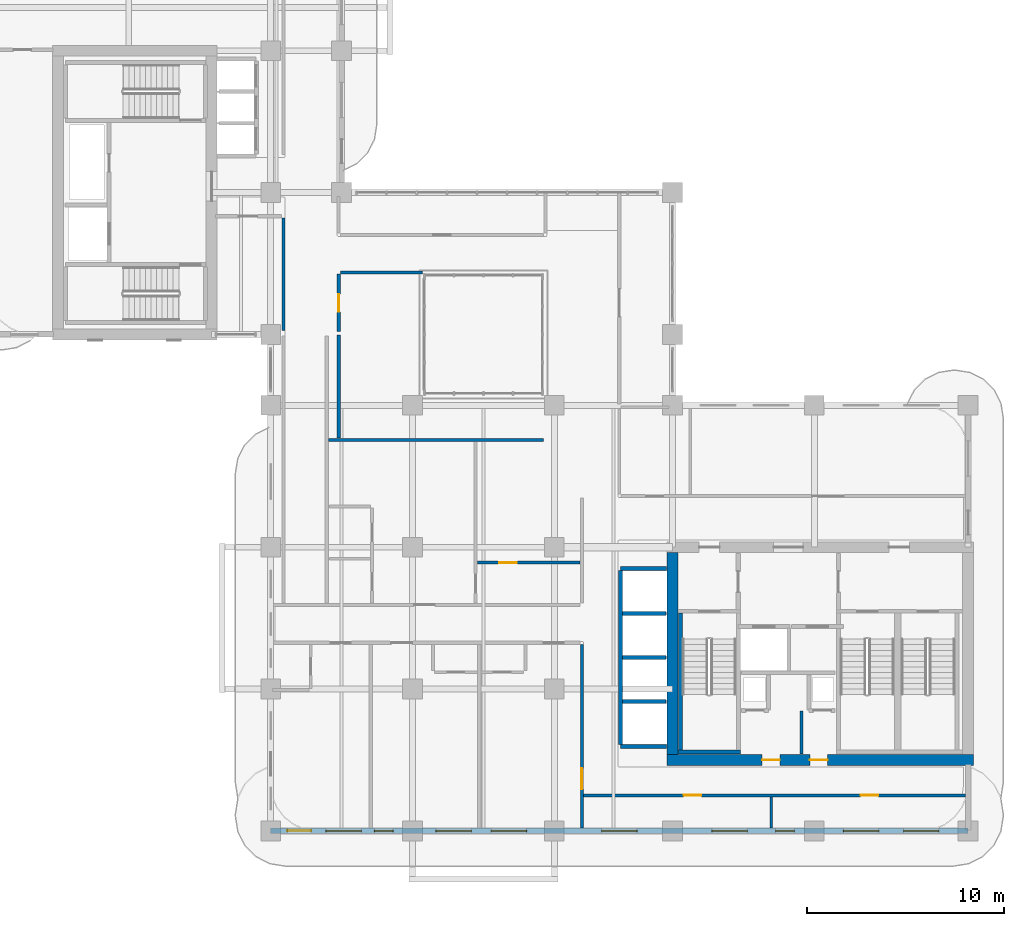
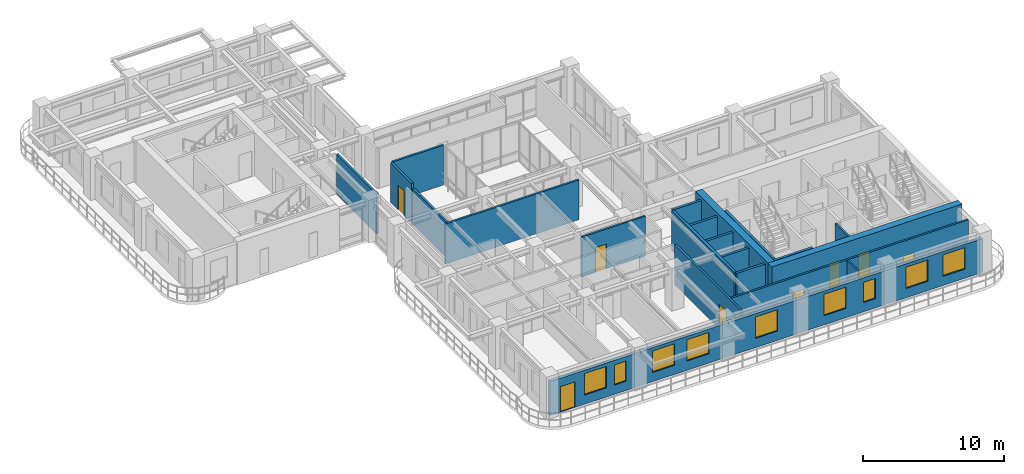
# One storey, part 12 of 19: 21 walls, 9 windows, 8 doors, 17 openings.
"""IFC4 building model written with IfcOpenShell, lengths in metres."""

from ifc_helpers import new_model, si_unit, derived_unit, direction, frame, frame_2d, origin, place, context, subcontext, project, spatial, rectangle, extrude, source, transform, mapped, material, layer, layer_set, type_object, type_shapes, element, fill, save


model = new_model("IFC4")

# Units and contexts
model_context = context("Model", 3, precision=1e-05, world=origin(), true_north=direction((0.0, 1.0)))
body_context = subcontext(model_context, "Body", "Model", "MODEL_VIEW")
ifc_project = project(units=[si_unit("LENGTHUNIT", "METRE"), si_unit("AREAUNIT", "SQUARE_METRE"), si_unit("VOLUMEUNIT", "CUBIC_METRE"), si_unit("PLANEANGLEUNIT", "RADIAN"), si_unit("MASSUNIT", "GRAM", prefix="KILO"), si_unit("THERMODYNAMICTEMPERATUREUNIT", "KELVIN"), si_unit("POWERUNIT", "WATT"), derived_unit("THERMALTRANSMITTANCEUNIT", [(si_unit("POWERUNIT", "WATT"), 1), (si_unit("AREAUNIT", "SQUARE_METRE"), -1), (si_unit("THERMODYNAMICTEMPERATUREUNIT", "KELVIN"), -1)])], contexts=[model_context])

# Site, building, storey
site_placement = place(None, origin())
site = spatial("IfcSite", under=ifc_project, at=site_placement, CompositionType="ELEMENT")
building_placement = place(site_placement, origin())
building = spatial("IfcBuilding", under=site, at=building_placement, Name="Zahravan Archway Hotel and Residences", CompositionType="ELEMENT")
storey_placement = place(building_placement, frame((0.0, 0.0, 134.0)))
storey = spatial("IfcBuildingStorey", under=building, at=storey_placement, Name="L33", CompositionType="ELEMENT", Elevation=134.0)

# Wall, openings, doors
ifc_material_1 = material(Name="Concrete C70/85", Category="concrete")
ifc_layer_1 = layer(ifc_material_1, 0.550048828125, Name="Concrete C70/85", Category="concrete")
ifc_layer_set_1 = layer_set([ifc_layer_1], Name="Concrete C70/85")
wall_type_1 = type_object("IfcWallType", Name="CW-CORE-550", PredefinedType="SHEAR", material=ifc_layer_set_1)
wall_1_placement = place(storey_placement, frame((34.52490234375, 3.60009765625, 0.0), z_axis=(0.0, 0.0, 1.0), x_axis=(1.0, 0.0, 0.0)))
wall_1 = element("IfcWall", 1, at=wall_1_placement, inside=storey, type_object=wall_type_1, Name="L33 Core A Shear S Wall 550 mm", PredefinedType="SHEAR", context=body_context, shape_type="SweptSolid", body=[
    extrude(rectangle(XDim=15.550048828125, YDim=0.550048828125, at=frame_2d((7.77490234375, 0.0))), origin(), (0.0, 0.0, 1.0), 3.699951171875),
])
opening_1_placement = place(wall_1_placement, frame((4.824951171875, 0.0, 0.0)))
opening_1 = element("IfcOpeningElement", 2, at=opening_1_placement, cuts=wall_1, Name="Opening FD-R1", PredefinedType="OPENING", context=body_context, shape_type="SweptSolid", body=[
    extrude(rectangle(XDim=0.89990234375, YDim=2.10009765625, at=frame_2d((0.449951171875, 1.050048828125))), frame((0.0, 0.28515625, 0.0), z_axis=(0.0, -1.0, 0.0), x_axis=(1.0, 0.0, 0.0)), (0.0, 0.0, 1.0), 0.570068359375),
])
opening_2_placement = place(wall_1_placement, frame((7.2451171875, 0.0, 0.0)))
opening_2 = element("IfcOpeningElement", 3, at=opening_2_placement, cuts=wall_1, Name="Opening FD-R1", PredefinedType="OPENING", context=body_context, shape_type="SweptSolid", body=[
    extrude(rectangle(XDim=0.89990234375, YDim=2.10009765625, at=frame_2d((0.449951171875, 1.050048828125))), frame((0.0, 0.28515625, 0.0), z_axis=(0.0, -1.0, 0.0), x_axis=(1.0, 0.0, 0.0)), (0.0, 0.0, 1.0), 0.570068359375),
])
ifc_material_2 = material(Name="Fire-Rated Painted Steel", Category="steel")
door_type_1 = type_object("IfcDoorType", Name="FD-RISER-900", OperationType="NOTDEFINED", PredefinedType="DOOR", material=ifc_material_2)
shared_shape_1 = source(origin(), body_context, "Body", "SweptSolid", [
    extrude(rectangle(XDim=0.89990234375, YDim=2.10009765625, at=frame_2d((0.449951171875, 1.050048828125))), frame((0.0, 0.02490234375, 0.0), z_axis=(0.0, -1.0, 0.0), x_axis=(1.0, 0.0, 0.0)), (0.0, 0.0, 1.0), 0.050048828125),
])
type_shapes(door_type_1, [shared_shape_1])
door_1_placement = place(opening_1_placement, origin())
door_1 = element("IfcDoor", 4, at=door_1_placement, inside=storey, type_object=door_type_1, Name="L33 Service Pantry Door", OperationType="SINGLE_SWING_RIGHT", OverallHeight=2.10009765625, OverallWidth=0.89990234375, PredefinedType="DOOR", context=body_context, shape_type="MappedRepresentation", body=[
    mapped(shared_shape_1, transform((0.0, 0.0, 0.0), scale=1.0)),
])
fill(opening_1, door_1)
door_2_placement = place(opening_2_placement, origin())
door_2 = element("IfcDoor", 5, at=door_2_placement, inside=storey, type_object=door_type_1, Name="L33 Fibre ELV Riser Door", OperationType="SINGLE_SWING_LEFT", OverallHeight=2.10009765625, OverallWidth=0.89990234375, PredefinedType="DOOR", context=body_context, shape_type="MappedRepresentation", body=[
    mapped(shared_shape_1, transform((0.0, 0.0, 0.0), scale=1.0)),
])
fill(opening_2, door_2)

# Wall
wall_2_placement = place(storey_placement, frame((34.800048828125, 3.875, 0.0), z_axis=(0.0, 0.0, 1.0), x_axis=(0.0, 1.0, 0.0)))
element("IfcWall", 6, at=wall_2_placement, inside=storey, type_object=wall_type_1, Name="L33 Core A Shear W Wall 550 mm", PredefinedType="SHEAR", context=body_context, shape_type="SweptSolid", body=[
    extrude(rectangle(XDim=10.25, YDim=0.550048828125, at=frame_2d((5.125, 0.0))), origin(), (0.0, 0.0, 1.0), 3.699951171875),
])

# Wall, openings, door, windows
ifc_material_3 = material(Name="Honed Red-Ochre Sandstone & Insulated Block", Category="masonry")
ifc_layer_2 = layer(ifc_material_3, 0.280029296875, Name="Honed Red-Ochre Sandstone & Insulated Block", Category="masonry")
ifc_layer_set_2 = layer_set([ifc_layer_2], Name="Honed Red-Ochre Sandstone & Insulated Block")
wall_type_2 = type_object("IfcWallType", Name="EW-LOG-280", PredefinedType="SOLIDWALL", material=ifc_layer_set_2)
wall_3_placement = place(storey_placement, frame((14.39990234375, 0.0, 0.0), z_axis=(0.0, 0.0, 1.0), x_axis=(1.0, 0.0, 0.0)))
wall_3 = element("IfcWall", 7, at=wall_3_placement, inside=storey, type_object=wall_type_2, Name="L33 Exterior Sandstone Wall WA-S", PredefinedType="SOLIDWALL", context=body_context, shape_type="SweptSolid", body=[
    extrude(rectangle(XDim=35.400146484375, YDim=0.280029296875, at=frame_2d((17.7001953125, 0.0))), origin(), (0.0, 0.0, 1.0), 2.93505859375),
])
opening_3_placement = place(wall_3_placement, frame((0.85009765625, 0.0, 0.0)))
opening_3 = element("IfcOpeningElement", 8, at=opening_3_placement, cuts=wall_3, Name="Opening ED-BL1", PredefinedType="OPENING", context=body_context, shape_type="SweptSolid", body=[
    extrude(rectangle(XDim=1.199951171875, YDim=2.199951171875, at=frame_2d((0.60009765625, 1.10009765625))), frame((0.0, 0.14990234375, 0.0), z_axis=(0.0, -1.0, 0.0), x_axis=(1.0, 0.0, 0.0)), (0.0, 0.0, 1.0), 0.300048828125),
])
opening_4_placement = place(wall_3_placement, frame((2.81103515625, 0.0, 0.800048828125)))
opening_4 = element("IfcOpeningElement", 9, at=opening_4_placement, cuts=wall_3, Name="Opening W-02", PredefinedType="OPENING", context=body_context, shape_type="SweptSolid", body=[
    extrude(rectangle(XDim=1.800048828125, YDim=1.85009765625, at=frame_2d((0.89990234375, 0.925048828125))), frame((0.0, 0.14990234375, 0.0), z_axis=(0.0, -1.0, 0.0), x_axis=(1.0, 0.0, 0.0)), (0.0, 0.0, 1.0), 0.300048828125),
])
opening_5_placement = place(wall_3_placement, frame((5.26904296875, 0.0, 0.800048828125)))
opening_5 = element("IfcOpeningElement", 10, at=opening_5_placement, cuts=wall_3, Name="Opening W-04", PredefinedType="OPENING", context=body_context, shape_type="SweptSolid", body=[
    extrude(rectangle(XDim=0.949951171875, YDim=1.75, at=frame_2d((0.47509765625, 0.875))), frame((0.0, 0.14990234375, 0.0), z_axis=(0.0, -1.0, 0.0), x_axis=(1.0, 0.0, 0.0)), (0.0, 0.0, 1.0), 0.300048828125),
])
opening_6_placement = place(wall_3_placement, frame((8.388916015625, 0.0, 0.800048828125)))
opening_6 = element("IfcOpeningElement", 11, at=opening_6_placement, cuts=wall_3, Name="Opening W-02", PredefinedType="OPENING", context=body_context, shape_type="SweptSolid", body=[
    extrude(rectangle(XDim=1.800048828125, YDim=1.85009765625, at=frame_2d((0.89990234375, 0.925048828125))), frame((0.0, 0.14990234375, 0.0), z_axis=(0.0, -1.0, 0.0), x_axis=(1.0, 0.0, 0.0)), (0.0, 0.0, 1.0), 0.300048828125),
])
opening_7_placement = place(wall_3_placement, frame((11.197021484375, 0.0, 0.800048828125)))
opening_7 = element("IfcOpeningElement", 12, at=opening_7_placement, cuts=wall_3, Name="Opening W-02", PredefinedType="OPENING", context=body_context, shape_type="SweptSolid", body=[
    extrude(rectangle(XDim=1.800048828125, YDim=1.85009765625, at=frame_2d((0.89990234375, 0.925048828125))), frame((0.0, 0.14990234375, 0.0), z_axis=(0.0, -1.0, 0.0), x_axis=(1.0, 0.0, 0.0)), (0.0, 0.0, 1.0), 0.300048828125),
])
opening_8_placement = place(wall_3_placement, frame((16.803955078125, 0.0, 0.800048828125)))
opening_8 = element("IfcOpeningElement", 13, at=opening_8_placement, cuts=wall_3, Name="Opening W-02", PredefinedType="OPENING", context=body_context, shape_type="SweptSolid", body=[
    extrude(rectangle(XDim=1.800048828125, YDim=1.85009765625, at=frame_2d((0.89990234375, 0.925048828125))), frame((0.0, 0.14990234375, 0.0), z_axis=(0.0, -1.0, 0.0), x_axis=(1.0, 0.0, 0.0)), (0.0, 0.0, 1.0), 0.300048828125),
])
opening_9_placement = place(wall_3_placement, frame((22.39599609375, 0.0, 0.800048828125)))
opening_9 = element("IfcOpeningElement", 14, at=opening_9_placement, cuts=wall_3, Name="Opening W-02", PredefinedType="OPENING", context=body_context, shape_type="SweptSolid", body=[
    extrude(rectangle(XDim=1.800048828125, YDim=1.85009765625, at=frame_2d((0.89990234375, 0.925048828125))), frame((0.0, 0.14990234375, 0.0), z_axis=(0.0, -1.0, 0.0), x_axis=(1.0, 0.0, 0.0)), (0.0, 0.0, 1.0), 0.300048828125),
])
opening_10_placement = place(wall_3_placement, frame((25.62890625, 0.0, 0.800048828125)))
opening_10 = element("IfcOpeningElement", 15, at=opening_10_placement, cuts=wall_3, Name="Opening W-04", PredefinedType="OPENING", context=body_context, shape_type="SweptSolid", body=[
    extrude(rectangle(XDim=0.949951171875, YDim=1.75, at=frame_2d((0.47509765625, 0.875))), frame((0.0, 0.14990234375, 0.0), z_axis=(0.0, -1.0, 0.0), x_axis=(1.0, 0.0, 0.0)), (0.0, 0.0, 1.0), 0.300048828125),
])
opening_11_placement = place(wall_3_placement, frame((29.074951171875, 0.0, 0.800048828125)))
opening_11 = element("IfcOpeningElement", 16, at=opening_11_placement, cuts=wall_3, Name="Opening W-02", PredefinedType="OPENING", context=body_context, shape_type="SweptSolid", body=[
    extrude(rectangle(XDim=1.800048828125, YDim=1.85009765625, at=frame_2d((0.89990234375, 0.925048828125))), frame((0.0, 0.14990234375, 0.0), z_axis=(0.0, -1.0, 0.0), x_axis=(1.0, 0.0, 0.0)), (0.0, 0.0, 1.0), 0.300048828125),
])
opening_12_placement = place(wall_3_placement, frame((32.125, 0.0, 0.800048828125)))
opening_12 = element("IfcOpeningElement", 17, at=opening_12_placement, cuts=wall_3, Name="Opening W-02", PredefinedType="OPENING", context=body_context, shape_type="SweptSolid", body=[
    extrude(rectangle(XDim=1.800048828125, YDim=1.85009765625, at=frame_2d((0.89990234375, 0.925048828125))), frame((0.0, 0.14990234375, 0.0), z_axis=(0.0, -1.0, 0.0), x_axis=(1.0, 0.0, 0.0)), (0.0, 0.0, 1.0), 0.300048828125),
])
ifc_material_4 = material(Name="Bronze-Anodized Glazed Aluminium", Category="aluminium")
door_type_2 = type_object("IfcDoorType", Name="ED-BALC-1200", OperationType="SLIDING_TO_LEFT", PredefinedType="DOOR", material=ifc_material_4)
shared_shape_2 = source(origin(), body_context, "Body", "SweptSolid", [
    extrude(rectangle(XDim=1.199951171875, YDim=2.199951171875, at=frame_2d((0.60009765625, 1.10009765625))), frame((0.0, 0.02490234375, 0.0), z_axis=(0.0, -1.0, 0.0), x_axis=(1.0, 0.0, 0.0)), (0.0, 0.0, 1.0), 0.050048828125),
])
type_shapes(door_type_2, [shared_shape_2])
door_3_placement = place(opening_3_placement, origin())
door_3 = element("IfcDoor", 18, at=door_3_placement, inside=storey, type_object=door_type_2, Name="L33 Outdoor Access Sliding Door (SLB-BAL-L33-SA)", OperationType="SLIDING_TO_LEFT", OverallHeight=2.199951171875, OverallWidth=1.199951171875, PredefinedType="DOOR", context=body_context, shape_type="MappedRepresentation", body=[
    mapped(shared_shape_2, transform((0.0, 0.0, 0.0), scale=1.0)),
])
fill(opening_3, door_3)
ifc_material_5 = material(Name="Bronze-Anodized Thermal-Break Aluminium & Low-E Glass", Category="aluminium")
window_type_1 = type_object("IfcWindowType", Name="WIN-NAR-950", PartitioningType="SINGLE_PANEL", PredefinedType="WINDOW", material=ifc_material_5)
shared_shape_3 = source(origin(), body_context, "Body", "SweptSolid", [
    extrude(rectangle(XDim=0.949951171875, YDim=1.75, at=frame_2d((0.47509765625, 0.875))), frame((0.0, 0.030029296875, 0.0), z_axis=(0.0, -1.0, 0.0), x_axis=(1.0, 0.0, 0.0)), (0.0, 0.0, 1.0), 0.06005859375),
])
type_shapes(window_type_1, [shared_shape_3])
window_1_placement = place(opening_5_placement, origin())
window_1 = element("IfcWindow", 19, at=window_1_placement, inside=storey, type_object=window_type_1, Name="L33 Loggia Window 02", OverallHeight=1.75, OverallWidth=0.949951171875, PartitioningType="SINGLE_PANEL", PredefinedType="WINDOW", context=body_context, shape_type="MappedRepresentation", body=[
    mapped(shared_shape_3, transform((0.0, 0.0, 0.0), scale=1.0)),
])
fill(opening_5, window_1)
window_2_placement = place(opening_10_placement, origin())
window_2 = element("IfcWindow", 20, at=window_2_placement, inside=storey, type_object=window_type_1, Name="L33 Loggia Window 07", OverallHeight=1.75, OverallWidth=0.949951171875, PartitioningType="SINGLE_PANEL", PredefinedType="WINDOW", context=body_context, shape_type="MappedRepresentation", body=[
    mapped(shared_shape_3, transform((0.0, 0.0, 0.0), scale=1.0)),
])
fill(opening_10, window_2)
window_type_2 = type_object("IfcWindowType", Name="WIN-TWR-1800", PartitioningType="DOUBLE_PANEL_VERTICAL", PredefinedType="WINDOW", material=ifc_material_5)
shared_shape_4 = source(origin(), body_context, "Body", "SweptSolid", [
    extrude(rectangle(XDim=1.800048828125, YDim=1.85009765625, at=frame_2d((0.89990234375, 0.925048828125))), frame((0.0, 0.030029296875, 0.0), z_axis=(0.0, -1.0, 0.0), x_axis=(1.0, 0.0, 0.0)), (0.0, 0.0, 1.0), 0.06005859375),
])
type_shapes(window_type_2, [shared_shape_4])
window_3_placement = place(opening_4_placement, origin())
window_3 = element("IfcWindow", 21, at=window_3_placement, inside=storey, type_object=window_type_2, Name="L33 Loggia Window 01", OverallHeight=1.85009765625, OverallWidth=1.800048828125, PartitioningType="DOUBLE_PANEL_VERTICAL", PredefinedType="WINDOW", context=body_context, shape_type="MappedRepresentation", body=[
    mapped(shared_shape_4, transform((0.0, 0.0, 0.0), scale=1.0)),
])
fill(opening_4, window_3)
window_4_placement = place(opening_6_placement, origin())
window_4 = element("IfcWindow", 22, at=window_4_placement, inside=storey, type_object=window_type_2, Name="L33 Loggia Window 03", OverallHeight=1.85009765625, OverallWidth=1.800048828125, PartitioningType="DOUBLE_PANEL_VERTICAL", PredefinedType="WINDOW", context=body_context, shape_type="MappedRepresentation", body=[
    mapped(shared_shape_4, transform((0.0, 0.0, 0.0), scale=1.0)),
])
fill(opening_6, window_4)
window_5_placement = place(opening_7_placement, origin())
window_5 = element("IfcWindow", 23, at=window_5_placement, inside=storey, type_object=window_type_2, Name="L33 Loggia Window 04", OverallHeight=1.85009765625, OverallWidth=1.800048828125, PartitioningType="DOUBLE_PANEL_VERTICAL", PredefinedType="WINDOW", context=body_context, shape_type="MappedRepresentation", body=[
    mapped(shared_shape_4, transform((0.0, 0.0, 0.0), scale=1.0)),
])
fill(opening_7, window_5)
window_6_placement = place(opening_8_placement, origin())
window_6 = element("IfcWindow", 24, at=window_6_placement, inside=storey, type_object=window_type_2, Name="L33 Loggia Window 05", OverallHeight=1.85009765625, OverallWidth=1.800048828125, PartitioningType="DOUBLE_PANEL_VERTICAL", PredefinedType="WINDOW", context=body_context, shape_type="MappedRepresentation", body=[
    mapped(shared_shape_4, transform((0.0, 0.0, 0.0), scale=1.0)),
])
fill(opening_8, window_6)
window_7_placement = place(opening_9_placement, origin())
window_7 = element("IfcWindow", 25, at=window_7_placement, inside=storey, type_object=window_type_2, Name="L33 Loggia Window 06", OverallHeight=1.85009765625, OverallWidth=1.800048828125, PartitioningType="DOUBLE_PANEL_VERTICAL", PredefinedType="WINDOW", context=body_context, shape_type="MappedRepresentation", body=[
    mapped(shared_shape_4, transform((0.0, 0.0, 0.0), scale=1.0)),
])
fill(opening_9, window_7)
window_8_placement = place(opening_11_placement, origin())
window_8 = element("IfcWindow", 26, at=window_8_placement, inside=storey, type_object=window_type_2, Name="L33 Loggia Window 08", OverallHeight=1.85009765625, OverallWidth=1.800048828125, PartitioningType="DOUBLE_PANEL_VERTICAL", PredefinedType="WINDOW", context=body_context, shape_type="MappedRepresentation", body=[
    mapped(shared_shape_4, transform((0.0, 0.0, 0.0), scale=1.0)),
])
fill(opening_11, window_8)
window_9_placement = place(opening_12_placement, origin())
window_9 = element("IfcWindow", 27, at=window_9_placement, inside=storey, type_object=window_type_2, Name="L33 Loggia Window 09", OverallHeight=1.85009765625, OverallWidth=1.800048828125, PartitioningType="DOUBLE_PANEL_VERTICAL", PredefinedType="WINDOW", context=body_context, shape_type="MappedRepresentation", body=[
    mapped(shared_shape_4, transform((0.0, 0.0, 0.0), scale=1.0)),
])
fill(opening_12, window_9)

# Wall, opening, door
ifc_material_6 = material(Name="Fire-Rated Gypsum & Concrete Block", Category="concrete")
ifc_layer_3 = layer(ifc_material_6, 0.159912109375, Name="Fire-Rated Gypsum & Concrete Block", Category="concrete")
ifc_layer_set_3 = layer_set([ifc_layer_3], Name="Fire-Rated Gypsum & Concrete Block")
wall_type_3 = type_object("IfcWallType", Name="PW-CORR-160", PredefinedType="PARTITIONING", material=ifc_layer_set_3)
wall_4_placement = place(storey_placement, frame((30.199951171875, 0.14794921875, 0.0), z_axis=(0.0, 0.0, 1.0), x_axis=(0.0, 1.0, 0.0)))
wall_4 = element("IfcWall", 28, at=wall_4_placement, inside=storey, type_object=wall_type_3, Name="L33 Partition WA-SRW", PredefinedType="PARTITIONING", context=body_context, shape_type="SweptSolid", body=[
    extrude(rectangle(XDim=9.31201171875, YDim=0.159912109375, at=frame_2d((4.656005859375, 0.0))), origin(), (0.0, 0.0, 1.0), 3.449951171875),
])
opening_13_placement = place(wall_4_placement, frame((1.97705078125, 0.0, 0.0)))
opening_13 = element("IfcOpeningElement", 29, at=opening_13_placement, cuts=wall_4, Name="Opening FD-L2", PredefinedType="OPENING", context=body_context, shape_type="SweptSolid", body=[
    extrude(rectangle(XDim=1.050048828125, YDim=2.14990234375, at=frame_2d((0.52490234375, 1.074951171875))), frame((0.0, 0.08984375, 0.0), z_axis=(0.0, -1.0, 0.0), x_axis=(1.0, 0.0, 0.0)), (0.0, 0.0, 1.0), 0.179931640625),
])
door_type_3 = type_object("IfcDoorType", Name="FD-LOBBY-1100", OperationType="NOTDEFINED", PredefinedType="DOOR", material=ifc_material_2)
shared_shape_5 = source(origin(), body_context, "Body", "SweptSolid", [
    extrude(rectangle(XDim=1.050048828125, YDim=2.14990234375, at=frame_2d((0.52490234375, 1.074951171875))), frame((0.0, 0.02490234375, 0.0), z_axis=(0.0, -1.0, 0.0), x_axis=(1.0, 0.0, 0.0)), (0.0, 0.0, 1.0), 0.050048828125),
])
type_shapes(door_type_3, [shared_shape_5])
door_4_placement = place(opening_13_placement, origin())
door_4 = element("IfcDoor", 30, at=door_4_placement, inside=storey, type_object=door_type_3, Name="L33 South Riser Corridor Door", OperationType="SINGLE_SWING_LEFT", OverallHeight=2.14990234375, OverallWidth=1.050048828125, PredefinedType="DOOR", context=body_context, shape_type="MappedRepresentation", body=[
    mapped(shared_shape_5, transform((0.0, 0.0, 0.0), scale=1.0)),
])
fill(opening_13, door_4)

# Wall, openings, doors
wall_5_placement = place(storey_placement, frame((30.2900390625, 1.800048828125, 0.0), z_axis=(0.0, 0.0, 1.0), x_axis=(1.0, 0.0, 0.0)))
wall_5 = element("IfcWall", 31, at=wall_5_placement, inside=storey, type_object=wall_type_3, Name="L33 Partition WA-SRS", PredefinedType="PARTITIONING", context=body_context, shape_type="SweptSolid", body=[
    extrude(rectangle(XDim=19.369873046875, YDim=0.159912109375, at=frame_2d((9.68505859375, 0.0))), origin(), (0.0, 0.0, 1.0), 3.449951171875),
])
opening_14_placement = place(wall_5_placement, frame((5.07421875, 0.0, 0.0)))
opening_14 = element("IfcOpeningElement", 32, at=opening_14_placement, cuts=wall_5, Name="Opening D-I2", PredefinedType="OPENING", context=body_context, shape_type="SweptSolid", body=[
    extrude(rectangle(XDim=0.89990234375, YDim=2.14990234375, at=frame_2d((0.449951171875, 1.074951171875))), frame((0.0, 0.08984375, 0.0), z_axis=(0.0, -1.0, 0.0), x_axis=(1.0, 0.0, 0.0)), (0.0, 0.0, 1.0), 0.179931640625),
])
opening_15_placement = place(wall_5_placement, frame((14.06005859375, 0.0, 0.0)))
opening_15 = element("IfcOpeningElement", 33, at=opening_15_placement, cuts=wall_5, Name="Opening D-I2", PredefinedType="OPENING", context=body_context, shape_type="SweptSolid", body=[
    extrude(rectangle(XDim=0.89990234375, YDim=2.14990234375, at=frame_2d((0.449951171875, 1.074951171875))), frame((0.0, 0.08984375, 0.0), z_axis=(0.0, -1.0, 0.0), x_axis=(1.0, 0.0, 0.0)), (0.0, 0.0, 1.0), 0.179931640625),
])
ifc_material_7 = material(Name="Hardwood Veneer Timber", Category="wood")
door_type_4 = type_object("IfcDoorType", Name="ID-INT-900", OperationType="NOTDEFINED", PredefinedType="DOOR", material=ifc_material_7)
shared_shape_6 = source(origin(), body_context, "Body", "SweptSolid", [
    extrude(rectangle(XDim=0.89990234375, YDim=2.14990234375, at=frame_2d((0.449951171875, 1.074951171875))), frame((0.0, 0.02490234375, 0.0), z_axis=(0.0, -1.0, 0.0), x_axis=(1.0, 0.0, 0.0)), (0.0, 0.0, 1.0), 0.050048828125),
])
type_shapes(door_type_4, [shared_shape_6])
door_5_placement = place(opening_14_placement, origin())
door_5 = element("IfcDoor", 34, at=door_5_placement, inside=storey, type_object=door_type_4, Name="L33 South Study Door", OperationType="SINGLE_SWING_RIGHT", OverallHeight=2.14990234375, OverallWidth=0.89990234375, PredefinedType="DOOR", context=body_context, shape_type="MappedRepresentation", body=[
    mapped(shared_shape_6, transform((0.0, 0.0, 0.0), scale=1.0)),
])
fill(opening_14, door_5)
door_6_placement = place(opening_15_placement, origin())
door_6 = element("IfcDoor", 35, at=door_6_placement, inside=storey, type_object=door_type_4, Name="L33 South Pantry Door", OperationType="SINGLE_SWING_LEFT", OverallHeight=2.14990234375, OverallWidth=0.89990234375, PredefinedType="DOOR", context=body_context, shape_type="MappedRepresentation", body=[
    mapped(shared_shape_6, transform((0.0, 0.0, 0.0), scale=1.0)),
])
fill(opening_15, door_6)

# Walls
wall_6_placement = place(storey_placement, frame((15.050048828125, 25.389892578125, 0.0), z_axis=(0.0, 0.0, 1.0), x_axis=(0.0, 1.0, 0.0)))
element("IfcWall", 36, at=wall_6_placement, inside=storey, type_object=wall_type_3, Name="L33 Partition FB1-E", PredefinedType="PARTITIONING", context=body_context, shape_type="SweptSolid", body=[
    extrude(rectangle(XDim=5.72021484375, YDim=0.159912109375, at=frame_2d((2.860107421875, 0.0))), origin(), (0.0, 0.0, 1.0), 3.449951171875),
])
wall_7_placement = place(storey_placement, frame((17.93994140625, 28.35009765625, 0.0), z_axis=(0.0, 0.0, 1.0), x_axis=(1.0, 0.0, 0.0)))
element("IfcWall", 37, at=wall_7_placement, inside=storey, type_object=wall_type_3, Name="L33 Partition ATR-NW2S", PredefinedType="PARTITIONING", context=body_context, shape_type="SweptSolid", body=[
    extrude(rectangle(XDim=4.170166015625, YDim=0.159912109375, at=frame_2d((2.0849609375, 0.0))), origin(), (0.0, 0.0, 1.0), 3.449951171875),
])
wall_8_placement = place(storey_placement, frame((17.340087890625, 19.85009765625, 0.0), z_axis=(0.0, 0.0, 1.0), x_axis=(1.0, 0.0, 0.0)))
element("IfcWall", 38, at=wall_8_placement, inside=storey, type_object=wall_type_3, Name="L33 Partition ATR-S", PredefinedType="PARTITIONING", context=body_context, shape_type="SweptSolid", body=[
    extrude(rectangle(XDim=10.919921875, YDim=0.159912109375, at=frame_2d((5.4599609375, 0.0))), origin(), (0.0, 0.0, 1.0), 3.449951171875),
])
ifc_material_8 = material(Name="Acoustic Stud Partition")
ifc_layer_4 = layer(ifc_material_8, 0.125, Name="Acoustic Stud Partition")
ifc_layer_set_4 = layer_set([ifc_layer_4], Name="Acoustic Stud Partition")
wall_type_4 = type_object("IfcWallType", Name="PW-INT-125", PredefinedType="PARTITIONING", material=ifc_layer_set_4)
wall_9_placement = place(storey_placement, frame((39.800048828125, 0.14794921875, 0.0), z_axis=(0.0, 0.0, 1.0), x_axis=(0.0, 1.0, 0.0)))
element("IfcWall", 39, at=wall_9_placement, inside=storey, type_object=wall_type_4, Name="L33 Partition S-DIV1", PredefinedType="PARTITIONING", context=body_context, shape_type="SweptSolid", body=[
    extrude(rectangle(XDim=1.56201171875, YDim=0.125, at=frame_2d((0.781005859375, 0.0))), origin(), (0.0, 0.0, 1.0), 3.449951171875),
])
ifc_layer_5 = layer(ifc_material_6, 0.199951171875, Name="Fire-Rated Gypsum & Concrete Block", Category="concrete")
ifc_layer_set_5 = layer_set([ifc_layer_5], Name="Fire-Rated Gypsum & Concrete Block")
wall_type_5 = type_object("IfcWallType", Name="PW-SHAFT-200", PredefinedType="PARTITIONING", material=ifc_layer_set_5)
for number, where, z_axis, x_axis, name in (
    (40, (32.159912109375, 4.280029296875, 0.0), (0.0, 0.0, 1.0), (1.0, 0.0, 0.0), "L33 Partition B3-S"),
    (41, (32.159912109375, 13.320068359375, 0.0), (0.0, 0.0, 1.0), (1.0, 0.0, 0.0), "L33 Partition B3-N"),
):
    element("IfcWall", number, at=place(storey_placement, frame(where, z_axis=z_axis, x_axis=x_axis)), inside=storey, type_object=wall_type_5, Name=name, PredefinedType="PARTITIONING", context=body_context, shape_type="SweptSolid", body=[
        extrude(rectangle(XDim=2.335205078125, YDim=0.199951171875, at=frame_2d((1.16748046875, 0.0))), origin(), (0.0, 0.0, 1.0), 3.449951171875),
    ])
wall_10_placement = place(storey_placement, frame((32.14990234375, 4.389892578125, 0.0), z_axis=(0.0, 0.0, 1.0), x_axis=(0.0, 1.0, 0.0)))
element("IfcWall", 42, at=wall_10_placement, inside=storey, type_object=wall_type_5, Name="L33 Partition B3-W", PredefinedType="PARTITIONING", context=body_context, shape_type="SweptSolid", body=[
    extrude(rectangle(XDim=8.820068359375, YDim=0.199951171875, at=frame_2d((4.41015625, 0.0))), origin(), (0.0, 0.0, 1.0), 3.449951171875),
])
for number, where, z_axis, x_axis, name in (
    (43, (32.260009765625, 6.56005859375, 0.0), (0.0, 0.0, 1.0), (1.0, 0.0, 0.0), "L33 Partition B3-D"),
    (44, (32.260009765625, 8.800048828125, 0.0), (0.0, 0.0, 1.0), (1.0, 0.0, 0.0), "L33 Partition B3-D"),
    (45, (32.260009765625, 11.0400390625, 0.0), (0.0, 0.0, 1.0), (1.0, 0.0, 0.0), "L33 Partition B3-D"),
):
    element("IfcWall", number, at=place(storey_placement, frame(where, z_axis=z_axis, x_axis=x_axis)), inside=storey, type_object=wall_type_5, Name=name, PredefinedType="PARTITIONING", context=body_context, shape_type="SweptSolid", body=[
        extrude(rectangle(XDim=2.205078125, YDim=0.199951171875, at=frame_2d((1.1025390625, 0.0))), origin(), (0.0, 0.0, 1.0), 3.449951171875),
    ])

# Wall, opening, door
ifc_layer_6 = layer(ifc_material_8, 0.14990234375, Name="Acoustic Stud Partition")
ifc_layer_set_6 = layer_set([ifc_layer_6], Name="Acoustic Stud Partition")
wall_type_6 = type_object("IfcWallType", Name="PW-UNIT-150", PredefinedType="PARTITIONING", material=ifc_layer_set_6)
wall_11_placement = place(storey_placement, frame((24.889892578125, 13.6201171875, 0.0), z_axis=(0.0, 0.0, 1.0), x_axis=(1.0, 0.0, 0.0)))
wall_11 = element("IfcWall", 46, at=wall_11_placement, inside=storey, type_object=wall_type_6, Name="L33 Partition FL-AT1-GH", PredefinedType="PARTITIONING", context=body_context, shape_type="SweptSolid", body=[
    extrude(rectangle(XDim=5.22021484375, YDim=0.14990234375, at=frame_2d((2.610107421875, 0.0))), origin(), (0.0, 0.0, 1.0), 3.449951171875),
])
opening_16_placement = place(wall_11_placement, frame((1.110107421875, 0.0, 0.0)))
opening_16 = element("IfcOpeningElement", 47, at=opening_16_placement, cuts=wall_11, Name="Opening D-I2", PredefinedType="OPENING", context=body_context, shape_type="SweptSolid", body=[
    extrude(rectangle(XDim=0.89990234375, YDim=2.14990234375, at=frame_2d((0.449951171875, 1.074951171875))), frame((0.0, 0.0849609375, 0.0), z_axis=(0.0, -1.0, 0.0), x_axis=(1.0, 0.0, 0.0)), (0.0, 0.0, 1.0), 0.169921875),
])
door_7_placement = place(opening_16_placement, origin())
door_7 = element("IfcDoor", 48, at=door_7_placement, inside=storey, type_object=door_type_4, Name="L33 Flat AT1 Bedroom 1 Door", OperationType="SINGLE_SWING_LEFT", OverallHeight=2.14990234375, OverallWidth=0.89990234375, PredefinedType="DOOR", context=body_context, shape_type="MappedRepresentation", body=[
    mapped(shared_shape_6, transform((0.0, 0.0, 0.0), scale=1.0)),
])
fill(opening_16, door_7)

# Wall
ifc_layer_7 = layer(ifc_material_8, 0.169921875, Name="Acoustic Stud Partition")
ifc_layer_set_7 = layer_set([ifc_layer_7], Name="Acoustic Stud Partition")
wall_type_7 = type_object("IfcWallType", Name="PW-UNIT-170", PredefinedType="PARTITIONING", material=ifc_layer_set_7)
wall_12_placement = place(storey_placement, frame((17.85009765625, 19.93994140625, 0.0), z_axis=(0.0, 0.0, 1.0), x_axis=(0.0, 1.0, 0.0)))
element("IfcWall", 49, at=wall_12_placement, inside=storey, type_object=wall_type_7, Name="L33 Partition ATR-NWSL", PredefinedType="PARTITIONING", context=body_context, shape_type="SweptSolid", body=[
    extrude(rectangle(XDim=5.219970703125, YDim=0.169921875, at=frame_2d((2.60986328125, 0.0))), origin(), (0.0, 0.0, 1.0), 3.10498046875),
])

# Wall, opening, door
wall_13_placement = place(storey_placement, frame((17.85009765625, 25.340087890625, 0.0), z_axis=(0.0, 0.0, 1.0), x_axis=(0.0, 1.0, 0.0)))
wall_13 = element("IfcWall", 50, at=wall_13_placement, inside=storey, type_object=wall_type_7, Name="L33 Partition ATR-W2", PredefinedType="PARTITIONING", context=body_context, shape_type="SweptSolid", body=[
    extrude(rectangle(XDim=2.919921875, YDim=0.169921875, at=frame_2d((1.4599609375, 0.0))), origin(), (0.0, 0.0, 1.0), 3.449951171875),
])
opening_17_placement = place(wall_13_placement, frame((1.010009765625, 0.0, 0.0)))
opening_17 = element("IfcOpeningElement", 51, at=opening_17_placement, cuts=wall_13, Name="Opening D-I2", PredefinedType="OPENING", context=body_context, shape_type="SweptSolid", body=[
    extrude(rectangle(XDim=0.89990234375, YDim=2.14990234375, at=frame_2d((0.449951171875, 1.074951171875))), frame((0.0, 0.094970703125, 0.0), z_axis=(0.0, -1.0, 0.0), x_axis=(1.0, 0.0, 0.0)), (0.0, 0.0, 1.0), 0.18994140625),
])
door_8_placement = place(opening_17_placement, origin())
door_8 = element("IfcDoor", 52, at=door_8_placement, inside=storey, type_object=door_type_4, Name="L33 Atrium West Focus Room Door", OperationType="SINGLE_SWING_LEFT", OverallHeight=2.14990234375, OverallWidth=0.89990234375, PredefinedType="DOOR", context=body_context, shape_type="MappedRepresentation", body=[
    mapped(shared_shape_6, transform((0.0, 0.0, 0.0), scale=1.0)),
])
fill(opening_17, door_8)

# Walls
ifc_material_9 = material(Name="Moisture-Resistant Blockwork", Category="masonry")
ifc_layer_8 = layer(ifc_material_9, 0.139892578125, Name="Moisture-Resistant Blockwork", Category="masonry")
ifc_layer_set_8 = layer_set([ifc_layer_8], Name="Moisture-Resistant Blockwork")
wall_type_8 = type_object("IfcWallType", Name="PW-WET-140", PredefinedType="PARTITIONING", material=ifc_layer_set_8)
wall_14_placement = place(storey_placement, frame((41.35009765625, 3.89501953125, 0.0), z_axis=(0.0, 0.0, 1.0), x_axis=(0.0, 1.0, 0.0)))
element("IfcWall", 53, at=wall_14_placement, inside=storey, type_object=wall_type_8, Name="L33 Partition CA-CV3", PredefinedType="PARTITIONING", context=body_context, shape_type="SweptSolid", body=[
    extrude(rectangle(XDim=2.18505859375, YDim=0.139892578125, at=frame_2d((1.092529296875, 0.0))), origin(), (0.0, 0.0, 1.0), 3.449951171875),
])
ifc_material_10 = material(Name="Concrete C50/60", Category="concrete")
ifc_layer_9 = layer(ifc_material_10, 0.199951171875, Name="Concrete C50/60", Category="concrete")
ifc_layer_set_9 = layer_set([ifc_layer_9], Name="Concrete C50/60")
wall_type_9 = type_object("IfcWallType", Name="SW-STAIR-200", PredefinedType="SHEAR", material=ifc_layer_set_9)
wall_15_placement = place(storey_placement, frame((35.074951171875, 4.0, 0.0), z_axis=(0.0, 0.0, 1.0), x_axis=(1.0, 0.0, 0.0)))
element("IfcWall", 54, at=wall_15_placement, inside=storey, type_object=wall_type_9, Name="L33 Stairwell RC Wall CA-SA1S", PredefinedType="SHEAR", context=body_context, shape_type="SweptSolid", body=[
    extrude(rectangle(XDim=3.1650390625, YDim=0.199951171875, at=frame_2d((1.58251953125, 0.0))), origin(), (0.0, 0.0, 1.0), 3.699951171875),
])
wall_16_placement = place(storey_placement, frame((35.199951171875, 4.10009765625, 0.0), z_axis=(0.0, 0.0, 1.0), x_axis=(0.0, 1.0, 0.0)))
element("IfcWall", 55, at=wall_16_placement, inside=storey, type_object=wall_type_9, Name="L33 Stairwell RC Wall CA-SA1W", PredefinedType="SHEAR", context=body_context, shape_type="SweptSolid", body=[
    extrude(rectangle(XDim=6.949951171875, YDim=0.199951171875, at=frame_2d((3.47509765625, 0.0))), origin(), (0.0, 0.0, 1.0), 3.699951171875),
])

save(model, "model.ifc")
